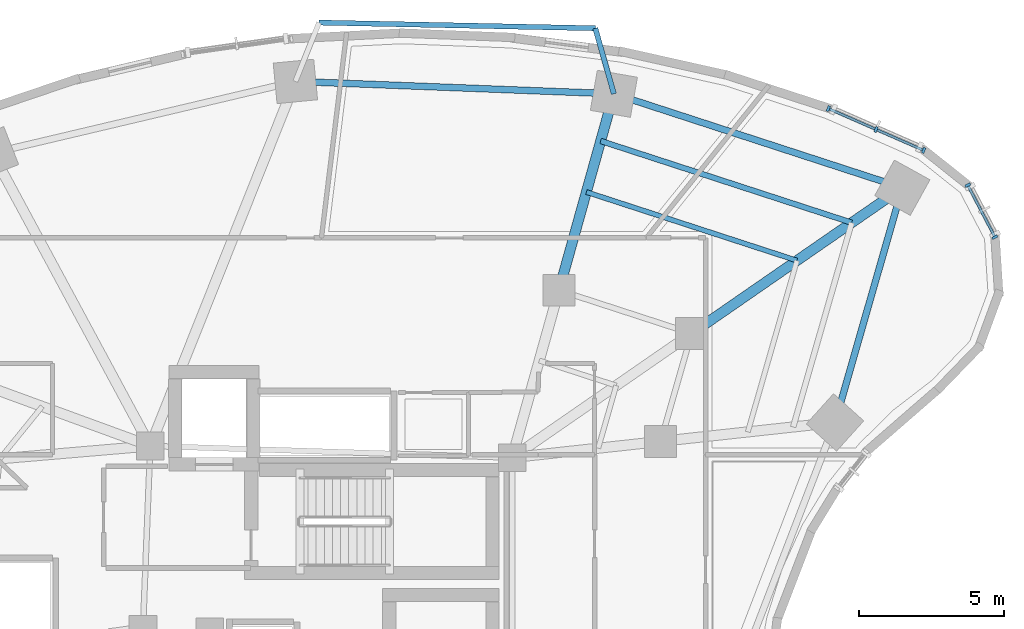
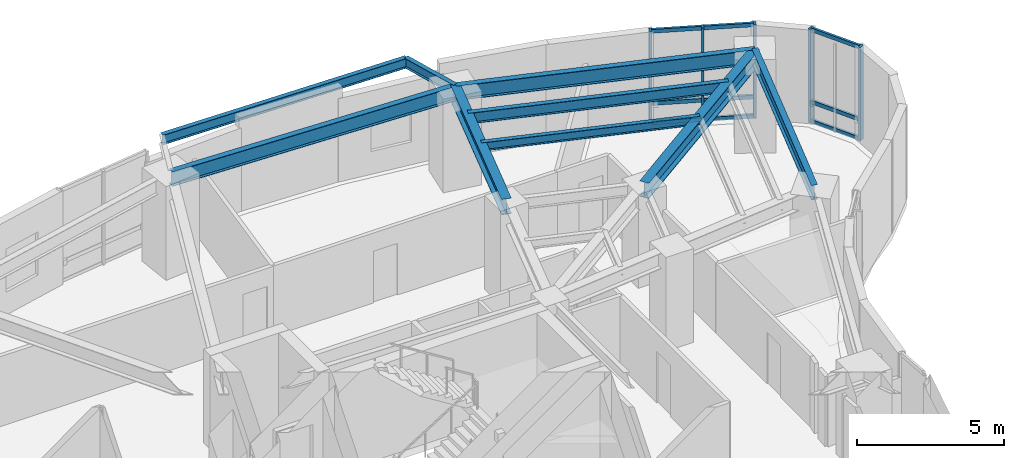
# One storey, part 6 of 16: 14 members, 9 beams, 2 elements without a shape of their own.
"""IFC4 building model written with IfcOpenShell, lengths in metres."""

from ifc_helpers import new_model, si_unit, direction, frame, origin, origin_2d, place, context, subcontext, project, spatial, rectangle, i_section, extrude, material, layer, layer_set, material_profile, profile_set, type_object, element, aggregate, save


model = new_model("IFC4")

# Units and contexts
model_context = context("Model", 3, precision=1e-05, world=origin(), true_north=direction((0.0, 1.0)))
body_context = subcontext(model_context, "Body", "Model", "MODEL_VIEW")
ifc_project = project(units=[si_unit("LENGTHUNIT", "METRE"), si_unit("AREAUNIT", "SQUARE_METRE"), si_unit("VOLUMEUNIT", "CUBIC_METRE"), si_unit("PLANEANGLEUNIT", "RADIAN"), si_unit("MASSUNIT", "GRAM", prefix="KILO")], contexts=[model_context])

# Site, building, storey
site_placement = place(None, origin())
site = spatial("IfcSite", under=ifc_project, at=site_placement, CompositionType="ELEMENT")
building_placement = place(site_placement, origin())
building = spatial("IfcBuilding", under=site, at=building_placement, Name="Korentha Bioscience Tower", CompositionType="ELEMENT")
storey_placement = place(building_placement, frame((0.0, 0.0, 55.199951171875)))
storey = spatial("IfcBuildingStorey", under=building, at=storey_placement, Name="L12", CompositionType="ELEMENT", Elevation=55.199951171875)

# Curtain wall, members
ifc_material_1 = material(Name="Thermally Broken Aluminium Frame", Category="aluminium")
ifc_layer = layer(ifc_material_1, 0.219970703125, Name="Thermally Broken Aluminium Frame")
ifc_layer_set = layer_set([ifc_layer], Name="Thermally Broken Aluminium Frame (CW-T2)")
curtain_wall_type = type_object("IfcCurtainWallType", Name="Solar-Screened Lab Unitised Curtain Wall CW-T2", PredefinedType="USERDEFINED", material=ifc_layer_set)
curtain_wall_1_placement = place(storey_placement, origin())
curtain_wall_1 = element("IfcCurtainWall", 1, at=curtain_wall_1_placement, inside=storey, type_object=curtain_wall_type, Name="L12 Curtain Wall 01", ObjectType="UNITISED", PredefinedType="USERDEFINED")
ifc_material_2 = material(Name="Anodised Aluminium 6063-T6", Category="aluminium")
ifc_material_profile_1 = material_profile(ifc_material_2, rectangle(XDim=0.090087890625, YDim=0.199951171875, at=origin_2d()), Name="Anodised Aluminium 6063-T6")
ifc_profile_set_1 = profile_set([ifc_material_profile_1], Name="Anodised Aluminium 6063-T6 (CW-MUL)")
member_type_1 = type_object("IfcMemberType", Name="Mullion RECT 90x200", PredefinedType="MULLION", material=ifc_profile_set_1)
member_1_placement = place(storey_placement, frame((51.71337890625, 46.420654296875, 0.0), z_axis=(0.0, 0.0, 1.0), x_axis=(-0.91593909057, 0.401317308828, 0.0)))
member_1 = element("IfcMember", 2, at=member_1_placement, type_object=member_type_1, Name="CW-L12-01 Mullion 1", PredefinedType="MULLION", context=body_context, shape_type="SweptSolid", body=[
    extrude(rectangle(XDim=0.090087890625, YDim=0.199951171875, at=origin_2d()), origin(), (0.0, 0.0, 1.0), 3.900146484375),
])
member_2_placement = place(storey_placement, frame((50.072998046875, 47.139404296875, 0.0), z_axis=(0.0, 0.0, 1.0), x_axis=(-0.91593909057, 0.401317308828, 0.0)))
member_2 = element("IfcMember", 3, at=member_2_placement, type_object=member_type_1, Name="CW-L12-01 Mullion 2", PredefinedType="MULLION", context=body_context, shape_type="SweptSolid", body=[
    extrude(rectangle(XDim=0.090087890625, YDim=0.199951171875, at=origin_2d()), origin(), (0.0, 0.0, 1.0), 3.900146484375),
])
member_3_placement = place(storey_placement, frame((48.43212890625, 47.8583984375, 0.0), z_axis=(0.0, 0.0, 1.0), x_axis=(-0.91593909057, 0.401317308828, 0.0)))
member_3 = element("IfcMember", 4, at=member_3_placement, type_object=member_type_1, Name="CW-L12-01 Mullion 3", PredefinedType="MULLION", context=body_context, shape_type="SweptSolid", body=[
    extrude(rectangle(XDim=0.090087890625, YDim=0.199951171875, at=origin_2d()), origin(), (0.0, 0.0, 1.0), 3.900146484375),
])

curtain_wall_2_placement = place(storey_placement, origin())
curtain_wall_2 = element("IfcCurtainWall", 5, at=curtain_wall_2_placement, inside=storey, type_object=curtain_wall_type, Name="L12 Curtain Wall 61", ObjectType="UNITISED", PredefinedType="USERDEFINED")
member_4_placement = place(storey_placement, frame((54.163330078125, 43.435302734375, 0.0), z_axis=(0.0, 0.0, 1.0), x_axis=(-0.463008597697, 0.886353788539, 0.0)))
member_4 = element("IfcMember", 6, at=member_4_placement, type_object=member_type_1, Name="CW-L12-61 Mullion 1", PredefinedType="MULLION", context=body_context, shape_type="SweptSolid", body=[
    extrude(rectangle(XDim=0.090087890625, YDim=0.199951171875, at=origin_2d()), origin(), (0.0, 0.0, 1.0), 3.900146484375),
])
member_5_placement = place(storey_placement, frame((53.22900390625, 45.2236328125, 0.0), z_axis=(0.0, 0.0, 1.0), x_axis=(-0.463008597697, 0.886353788539, 0.0)))
member_5 = element("IfcMember", 7, at=member_5_placement, type_object=member_type_1, Name="CW-L12-61 Mullion 2", PredefinedType="MULLION", context=body_context, shape_type="SweptSolid", body=[
    extrude(rectangle(XDim=0.090087890625, YDim=0.199951171875, at=origin_2d()), origin(), (0.0, 0.0, 1.0), 3.900146484375),
])

# Beams
ifc_material_3 = material(Name="Steel S355", Category="steel")
ifc_material_profile_2 = material_profile(ifc_material_3, i_section(OverallWidth=0.22802734375, OverallDepth=0.60791015625, WebThickness=0.01123046875, FlangeThickness=0.017333984375, at=origin_2d()), Name="Steel S355")
ifc_profile_set_2 = profile_set([ifc_material_profile_2], Name="Steel S355 (SB-610)")
beam_type_1 = type_object("IfcBeamType", Name="Perimeter Ring Spandrel Girder W610x113", PredefinedType="SPANDREL", material=ifc_profile_set_2)
beam_1_placement = place(storey_placement, frame((50.977294921875, 45.135498046875, 3.595947265625), z_axis=(-0.95087511444, 0.309574735305, 0.0), x_axis=(-0.309574735305, -0.95087511444, 0.0)))
element("IfcBeam", 8, at=beam_1_placement, inside=storey, type_object=beam_type_1, Name="L12 Perimeter Spandrel Girder 01", PredefinedType="SPANDREL", context=body_context, shape_type="SweptSolid", body=[
    extrude(i_section(OverallWidth=0.22802734375, OverallDepth=0.60791015625, WebThickness=0.01123046875, FlangeThickness=0.017333984375, at=origin_2d()), origin(), (0.0, 0.0, 1.0), 10.4375),
])
beam_2_placement = place(storey_placement, frame((41.052490234375, 48.36669921875, 3.595947265625), z_axis=(-0.999246003889, 0.03882555488, 0.0), x_axis=(-0.03882555488, -0.999246003889, 0.0)))
element("IfcBeam", 9, at=beam_2_placement, inside=storey, type_object=beam_type_1, Name="L12 Perimeter Spandrel Girder 02", PredefinedType="SPANDREL", context=body_context, shape_type="SweptSolid", body=[
    extrude(i_section(OverallWidth=0.22802734375, OverallDepth=0.60791015625, WebThickness=0.01123046875, FlangeThickness=0.017333984375, at=origin_2d()), origin(), (0.0, 0.0, 1.0), 10.966552734375),
])
beam_3_placement = place(storey_placement, frame((48.661865234375, 37.060791015625, 3.595947265625), z_axis=(0.275642273411, 0.961260285827, 0.0), x_axis=(-0.961260285827, 0.275642273411, 0.0)))
element("IfcBeam", 10, at=beam_3_placement, inside=storey, type_object=beam_type_1, Name="L12 Perimeter Spandrel Girder 16", PredefinedType="SPANDREL", context=body_context, shape_type="SweptSolid", body=[
    extrude(i_section(OverallWidth=0.22802734375, OverallDepth=0.60791015625, WebThickness=0.01123046875, FlangeThickness=0.017333984375, at=origin_2d()), origin(), (0.0, 0.0, 1.0), 8.400146484375),
])
ifc_material_profile_3 = material_profile(ifc_material_3, i_section(OverallWidth=0.18994140625, OverallDepth=0.45703125, WebThickness=0.009033203125, FlangeThickness=0.014404296875, at=origin_2d()), Name="Steel S355")
ifc_profile_set_3 = profile_set([ifc_material_profile_3], Name="Steel S355 (RB-460)")
beam_type_2 = type_object("IfcBeamType", Name="Radial Laboratory Beam W460x74", PredefinedType="BEAM", material=ifc_profile_set_3)
beam_4_placement = place(storey_placement, frame((49.2373046875, 43.931884765625, 3.671630859375), z_axis=(-0.95087437499, 0.309577006554, 0.0), x_axis=(-0.309577006554, -0.95087437499, 0.0)))
element("IfcBeam", 11, at=beam_4_placement, inside=storey, type_object=beam_type_2, Name="L12 Secondary Floor Beam JSTO-01", PredefinedType="BEAM", context=body_context, shape_type="SweptSolid", body=[
    extrude(i_section(OverallWidth=0.18994140625, OverallDepth=0.45703125, WebThickness=0.009033203125, FlangeThickness=0.014404296875, at=origin_2d()), origin(), (0.0, 0.0, 1.0), 9.0849609375),
])
ifc_material_profile_4 = material_profile(ifc_material_3, i_section(OverallWidth=0.35009765625, OverallDepth=0.64990234375, WebThickness=0.01611328125, FlangeThickness=0.02490234375, at=origin_2d()), Name="Steel S355")
ifc_profile_set_4 = profile_set([ifc_material_profile_4], Name="Steel S355 (RB-650)")
beam_type_3 = type_object("IfcBeamType", Name="Radial Laboratory Girder CVS 650x208", PredefinedType="BEAM", material=ifc_profile_set_4)
beam_5_placement = place(storey_placement, frame((43.7265625, 40.121337890625, 3.574951171875), z_axis=(0.822488186113, 0.568782193555, 0.0), x_axis=(-0.568782193555, 0.822488186113, 0.0)))
element("IfcBeam", 12, at=beam_5_placement, inside=storey, type_object=beam_type_3, Name="L12 Outer Radial Girder 01", PredefinedType="BEAM", context=body_context, shape_type="SweptSolid", body=[
    extrude(i_section(OverallWidth=0.35009765625, OverallDepth=0.64990234375, WebThickness=0.01611328125, FlangeThickness=0.02490234375, at=origin_2d()), origin(), (0.0, 0.0, 1.0), 8.815673828125),
])
beam_6_placement = place(storey_placement, frame((39.1611328125, 41.607666015625, 3.574951171875), z_axis=(0.269475095129, 0.963007358801, 0.0), x_axis=(-0.963007358801, 0.269475095129, 0.0)))
element("IfcBeam", 13, at=beam_6_placement, inside=storey, type_object=beam_type_3, Name="L12 Outer Radial Girder 02", PredefinedType="BEAM", context=body_context, shape_type="SweptSolid", body=[
    extrude(i_section(OverallWidth=0.35009765625, OverallDepth=0.64990234375, WebThickness=0.01611328125, FlangeThickness=0.02490234375, at=origin_2d()), origin(), (0.0, 0.0, 1.0), 7.0185546875),
])
ifc_material_profile_5 = material_profile(ifc_material_3, i_section(OverallWidth=0.1708984375, OverallDepth=0.35498046875, WebThickness=0.007080078125, FlangeThickness=0.01171875, at=origin_2d()), Name="Steel S355")
ifc_profile_set_5 = profile_set([ifc_material_profile_5], Name="Steel S355 (JB-360)")
beam_type_4 = type_object("IfcBeamType", Name="Secondary Laboratory Joist W360x51", PredefinedType="JOIST", material=ifc_profile_set_5)
beam_7_placement = place(storey_placement, frame((47.35205078125, 42.62841796875, 3.72265625), z_axis=(-0.950870992772, 0.309587394938, 0.0), x_axis=(-0.309587394938, -0.950870992772, 0.0)))
element("IfcBeam", 14, at=beam_7_placement, inside=storey, type_object=beam_type_4, Name="L12 Secondary Floor Beam JST-01", PredefinedType="JOIST", context=body_context, shape_type="SweptSolid", body=[
    extrude(i_section(OverallWidth=0.1708984375, OverallDepth=0.35498046875, WebThickness=0.007080078125, FlangeThickness=0.01171875, at=origin_2d()), origin(), (0.0, 0.0, 1.0), 7.619384765625),
])
ifc_material_profile_6 = material_profile(ifc_material_3, i_section(OverallWidth=0.177978515625, OverallDepth=0.406982421875, WebThickness=0.0078125, FlangeThickness=0.0126953125, at=origin_2d()), Name="Steel S355")
ifc_profile_set_6 = profile_set([ifc_material_profile_6], Name="Steel S355 (CB-410)")
beam_type_5 = type_object("IfcBeamType", Name="Sun-Ledge Cantilever Beam W410x60", PredefinedType="BEAM", material=ifc_profile_set_6)
beam_8_placement = place(storey_placement, frame((41.052490234375, 48.36669921875, 3.698486328125), z_axis=(-0.272575265029, 0.962134463001, 0.0), x_axis=(-0.962134463001, -0.272575265029, 0.0)))
element("IfcBeam", 15, at=beam_8_placement, inside=storey, type_object=beam_type_5, Name="L12 Balcony Cantilever Bracket A-L13-01", PredefinedType="BEAM", context=body_context, shape_type="SweptSolid", body=[
    extrude(i_section(OverallWidth=0.177978515625, OverallDepth=0.406982421875, WebThickness=0.0078125, FlangeThickness=0.0126953125, at=origin_2d()), origin(), (0.0, 0.0, 1.0), 2.344970703125),
])
beam_9_placement = place(storey_placement, frame((40.413330078125, 50.622802734375, 3.698486328125), z_axis=(-0.999790533568, 0.020466777676, 0.0), x_axis=(-0.020466777676, -0.999790533568, 0.0)))
element("IfcBeam", 16, at=beam_9_placement, inside=storey, type_object=beam_type_5, Name="L12 Balcony Edge Trimmer Beam L13-01", PredefinedType="BEAM", context=body_context, shape_type="SweptSolid", body=[
    extrude(i_section(OverallWidth=0.177978515625, OverallDepth=0.406982421875, WebThickness=0.0078125, FlangeThickness=0.0126953125, at=origin_2d()), origin(), (0.0, 0.0, 1.0), 9.507080078125),
])

# Member
ifc_material_profile_7 = material_profile(ifc_material_2, rectangle(XDim=0.090087890625, YDim=0.159912109375, at=origin_2d()), Name="Anodised Aluminium 6063-T6")
ifc_profile_set_7 = profile_set([ifc_material_profile_7], Name="Anodised Aluminium 6063-T6 (CW-TRN)")
member_type_2 = type_object("IfcMemberType", Name="Transom RECT 90x160", PredefinedType="USERDEFINED", material=ifc_profile_set_7)
member_6_placement = place(storey_placement, frame((51.67236328125, 46.438720703125, 0.045166015625), z_axis=(-0.915976098914, 0.401232832926, 0.0), x_axis=(-0.401232832926, -0.915976098914, 0.0)))
member_6 = element("IfcMember", 17, at=member_6_placement, type_object=member_type_2, Name="CW-L12-01 Bay 1 Transom 1", ObjectType="TRANSOM", PredefinedType="USERDEFINED", context=body_context, shape_type="SweptSolid", body=[
    extrude(rectangle(XDim=0.090087890625, YDim=0.159912109375, at=origin_2d()), origin(), (0.0, 0.0, 1.0), 1.701416015625),
])

member_7_placement = place(storey_placement, frame((51.67236328125, 46.438720703125, 0.85009765625), z_axis=(-0.915976098914, 0.401232832926, 0.0), x_axis=(-0.401232832926, -0.915976098914, 0.0)))
member_7 = element("IfcMember", 18, at=member_7_placement, type_object=member_type_2, Name="CW-L12-01 Bay 1 Transom 2", ObjectType="TRANSOM", PredefinedType="USERDEFINED", context=body_context, shape_type="SweptSolid", body=[
    extrude(rectangle(XDim=0.090087890625, YDim=0.159912109375, at=origin_2d()), origin(), (0.0, 0.0, 1.0), 1.701416015625),
])

member_8_placement = place(storey_placement, frame((51.67236328125, 46.438720703125, 3.85498046875), z_axis=(-0.915976098914, 0.401232832926, 0.0), x_axis=(-0.401232832926, -0.915976098914, 0.0)))
member_8 = element("IfcMember", 19, at=member_8_placement, type_object=member_type_2, Name="CW-L12-01 Bay 1 Transom 3", ObjectType="TRANSOM", PredefinedType="USERDEFINED", context=body_context, shape_type="SweptSolid", body=[
    extrude(rectangle(XDim=0.090087890625, YDim=0.159912109375, at=origin_2d()), origin(), (0.0, 0.0, 1.0), 1.701416015625),
])

member_9_placement = place(storey_placement, frame((50.031494140625, 47.15771484375, 0.045166015625), z_axis=(-0.915952992218, 0.401285579167, 0.0), x_axis=(-0.401285579167, -0.915952992218, 0.0)))
member_9 = element("IfcMember", 20, at=member_9_placement, type_object=member_type_2, Name="CW-L12-01 Bay 2 Transom 1", ObjectType="TRANSOM", PredefinedType="USERDEFINED", context=body_context, shape_type="SweptSolid", body=[
    extrude(rectangle(XDim=0.090087890625, YDim=0.159912109375, at=origin_2d()), origin(), (0.0, 0.0, 1.0), 1.701171875),
])

member_10_placement = place(storey_placement, frame((50.031494140625, 47.15771484375, 0.85009765625), z_axis=(-0.915952992218, 0.401285579167, 0.0), x_axis=(-0.401285579167, -0.915952992218, 0.0)))
member_10 = element("IfcMember", 21, at=member_10_placement, type_object=member_type_2, Name="CW-L12-01 Bay 2 Transom 2", ObjectType="TRANSOM", PredefinedType="USERDEFINED", context=body_context, shape_type="SweptSolid", body=[
    extrude(rectangle(XDim=0.090087890625, YDim=0.159912109375, at=origin_2d()), origin(), (0.0, 0.0, 1.0), 1.701171875),
])

member_11_placement = place(storey_placement, frame((50.031494140625, 47.15771484375, 3.85498046875), z_axis=(-0.915952992218, 0.401285579167, 0.0), x_axis=(-0.401285579167, -0.915952992218, 0.0)))
member_11 = element("IfcMember", 22, at=member_11_placement, type_object=member_type_2, Name="CW-L12-01 Bay 2 Transom 3", ObjectType="TRANSOM", PredefinedType="USERDEFINED", context=body_context, shape_type="SweptSolid", body=[
    extrude(rectangle(XDim=0.090087890625, YDim=0.159912109375, at=origin_2d()), origin(), (0.0, 0.0, 1.0), 1.701171875),
])

aggregate(curtain_wall_1, [member_1, member_2, member_3, member_6, member_7, member_8, member_9, member_10, member_11])

member_12_placement = place(storey_placement, frame((54.142333984375, 43.47509765625, 0.045166015625), z_axis=(-0.462899248902, 0.886410900974, 0.0), x_axis=(-0.886410900974, -0.462899248902, 0.0)))
member_12 = element("IfcMember", 23, at=member_12_placement, type_object=member_type_2, Name="CW-L12-61 Bay 1 Transom 1", ObjectType="TRANSOM", PredefinedType="USERDEFINED", context=body_context, shape_type="SweptSolid", body=[
    extrude(rectangle(XDim=0.090087890625, YDim=0.159912109375, at=origin_2d()), origin(), (0.0, 0.0, 1.0), 1.927734375),
])

member_13_placement = place(storey_placement, frame((54.142333984375, 43.47509765625, 0.85009765625), z_axis=(-0.462899248902, 0.886410900974, 0.0), x_axis=(-0.886410900974, -0.462899248902, 0.0)))
member_13 = element("IfcMember", 24, at=member_13_placement, type_object=member_type_2, Name="CW-L12-61 Bay 1 Transom 2", ObjectType="TRANSOM", PredefinedType="USERDEFINED", context=body_context, shape_type="SweptSolid", body=[
    extrude(rectangle(XDim=0.090087890625, YDim=0.159912109375, at=origin_2d()), origin(), (0.0, 0.0, 1.0), 1.927734375),
])

member_14_placement = place(storey_placement, frame((54.142333984375, 43.47509765625, 3.85498046875), z_axis=(-0.462899248902, 0.886410900974, 0.0), x_axis=(-0.886410900974, -0.462899248902, 0.0)))
member_14 = element("IfcMember", 25, at=member_14_placement, type_object=member_type_2, Name="CW-L12-61 Bay 1 Transom 3", ObjectType="TRANSOM", PredefinedType="USERDEFINED", context=body_context, shape_type="SweptSolid", body=[
    extrude(rectangle(XDim=0.090087890625, YDim=0.159912109375, at=origin_2d()), origin(), (0.0, 0.0, 1.0), 1.927734375),
])

aggregate(curtain_wall_2, [member_4, member_5, member_12, member_13, member_14])

save(model, "model.ifc")
